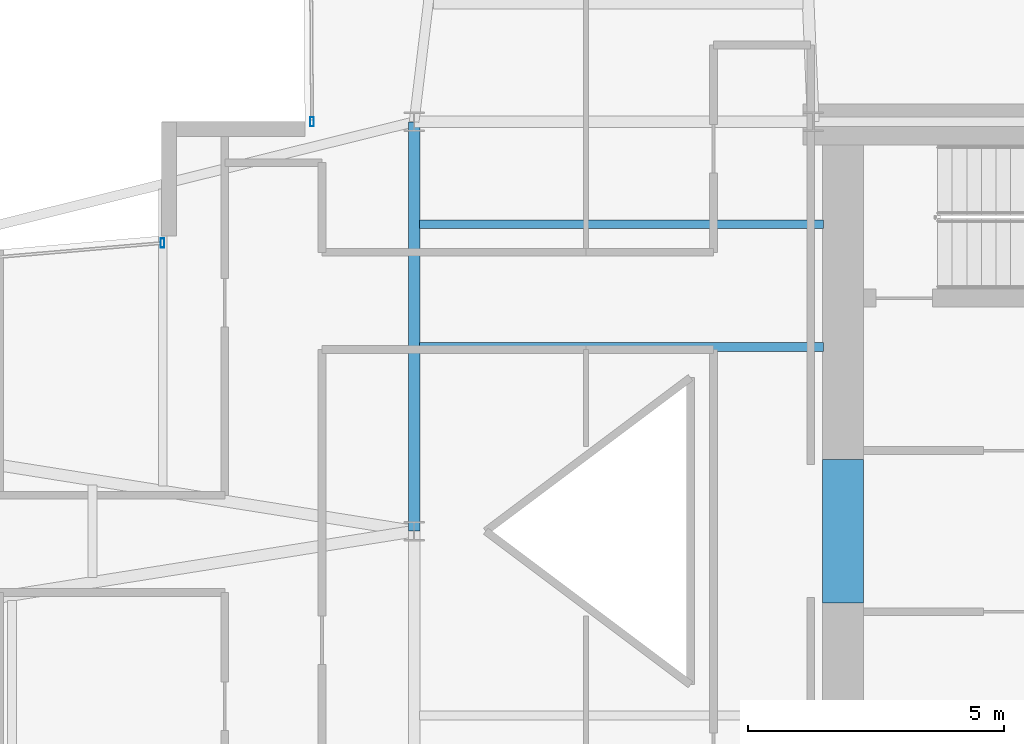
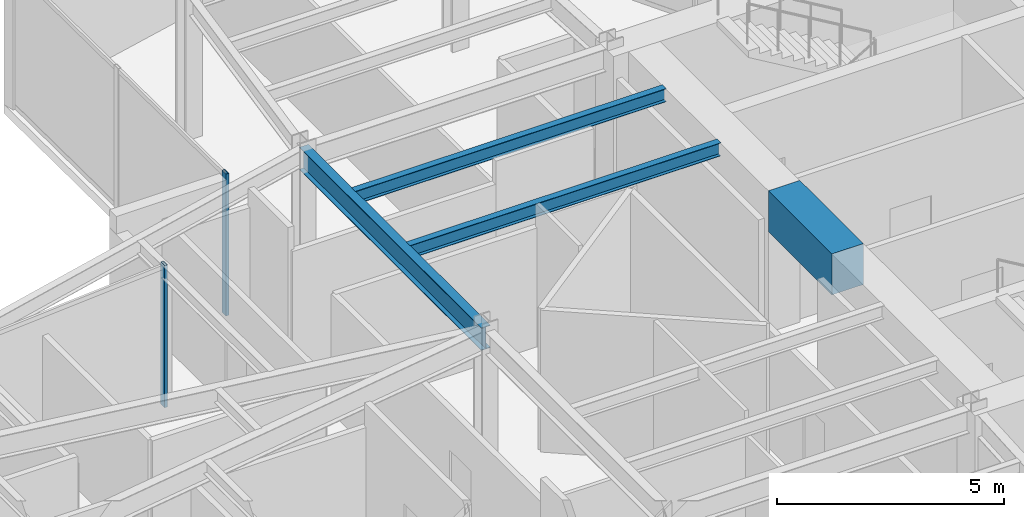
# One storey, part 11 of 26: 4 beams, 2 members, 2 elements without a shape of their own.
"""IFC4 building model written with IfcOpenShell, lengths in metres."""

from ifc_helpers import new_model, si_unit, direction, frame, origin, origin_2d, place, context, subcontext, project, spatial, rectangle, hollow_rectangle, i_section, extrude, material, layer, layer_set, material_profile, profile_set, type_object, element, aggregate, save


model = new_model("IFC4")

# Units and contexts
model_context = context("Model", 3, precision=1e-05, world=origin(), true_north=direction((0.0, 1.0)))
body_context = subcontext(model_context, "Body", "Model", "MODEL_VIEW")
ifc_project = project(units=[si_unit("LENGTHUNIT", "METRE"), si_unit("AREAUNIT", "SQUARE_METRE"), si_unit("VOLUMEUNIT", "CUBIC_METRE"), si_unit("PLANEANGLEUNIT", "RADIAN"), si_unit("MASSUNIT", "GRAM", prefix="KILO")], contexts=[model_context])

# Site, building, storey
site_placement = place(None, origin())
site = spatial("IfcSite", under=ifc_project, at=site_placement, CompositionType="ELEMENT")
building_placement = place(site_placement, origin())
building = spatial("IfcBuilding", under=site, at=building_placement, Name="Veymaron Broadcast Tower", CompositionType="ELEMENT")
storey_placement = place(building_placement, frame((0.0, 0.0, 153.300048828125)))
storey = spatial("IfcBuildingStorey", under=building, at=storey_placement, Name="L35", CompositionType="ELEMENT", Elevation=153.300048828125)

# Beams
ifc_material_1 = material(Name="Concrete C70/85", Category="concrete")
ifc_material_profile_1 = material_profile(ifc_material_1, rectangle(XDim=0.800048828125, YDim=1.10009765625, at=origin_2d()), Name="RC800X1100")
ifc_profile_set_1 = profile_set([ifc_material_profile_1], Name="Concrete C70/85")
beam_type_1 = type_object("IfcBeamType", Name="BM-CB1", PredefinedType="LINTEL", material=ifc_profile_set_1)
beam_1_placement = place(storey_placement, frame((39.580078125, 22.60009765625, 3.260009765625), z_axis=(0.0, 1.0, 0.0), x_axis=(-1.0, 0.0, 0.0)))
element("IfcBeam", 1, at=beam_1_placement, inside=storey, type_object=beam_type_1, Name="L35 Core Wall west coupling beam", PredefinedType="LINTEL", context=body_context, shape_type="SweptSolid", body=[
    extrude(rectangle(XDim=0.800048828125, YDim=1.10009765625, at=origin_2d()), origin(), (0.0, 0.0, 1.0), 2.7998046875),
])
ifc_material_2 = material(Name="Structural steel ASTM A992 Gr 50", Category="steel")
ifc_material_profile_2 = material_profile(ifc_material_2, i_section(OverallWidth=0.22802734375, OverallDepth=0.60791015625, WebThickness=0.01123046875, FlangeThickness=0.017333984375, at=origin_2d()), Name="W610X113")
ifc_profile_set_2 = profile_set([ifc_material_profile_2], Name="Structural steel ASTM A992 Gr 50")
beam_type_2 = type_object("IfcBeamType", Name="BM-FG2", PredefinedType="BEAM", material=ifc_profile_set_2)
beam_2_placement = place(storey_placement, frame((31.199951171875, 24.0, 3.505859375), z_axis=(0.0, 1.0, 0.0), x_axis=(-1.0, 0.0, 0.0)))
element("IfcBeam", 2, at=beam_2_placement, inside=storey, type_object=beam_type_2, Name="L35 primary structural floor girder", PredefinedType="BEAM", context=body_context, shape_type="SweptSolid", body=[
    extrude(i_section(OverallWidth=0.22802734375, OverallDepth=0.60791015625, WebThickness=0.01123046875, FlangeThickness=0.017333984375, at=origin_2d()), origin(), (0.0, 0.0, 1.0), 8.0),
])
ifc_material_profile_3 = material_profile(ifc_material_2, i_section(OverallWidth=0.1708984375, OverallDepth=0.35498046875, WebThickness=0.007080078125, FlangeThickness=0.01171875, at=origin_2d()), Name="W360X51")
ifc_profile_set_3 = profile_set([ifc_material_profile_3], Name="Structural steel ASTM A992 Gr 50")
beam_type_3 = type_object("IfcBeamType", Name="BM-JS2", PredefinedType="JOIST", material=ifc_profile_set_3)
for number, where, z_axis, x_axis, name in (
    (3, (31.300048828125, 27.60009765625, 3.632568359375), (1.0, 0.0, 0.0), (0.0, 1.0, 0.0), "L35 Hub secondary joist 3"),
    (4, (31.300048828125, 30.0, 3.632568359375), (1.0, 0.0, 0.0), (0.0, 1.0, 0.0), "L35 Hub secondary joist 4"),
):
    element("IfcBeam", number, at=place(storey_placement, frame(where, z_axis=z_axis, x_axis=x_axis)), inside=storey, type_object=beam_type_3, Name=name, PredefinedType="JOIST", context=body_context, shape_type="SweptSolid", body=[
        extrude(i_section(OverallWidth=0.1708984375, OverallDepth=0.35498046875, WebThickness=0.007080078125, FlangeThickness=0.01171875, at=origin_2d()), origin(), (0.0, 0.0, 1.0), 7.89990234375),
    ])

# Curtain wall, member
ifc_material_3 = material(Name="Anodised aluminium AA 6063-T6 and laminated low-E dark glass", Category="aluminium")
ifc_layer = layer(ifc_material_3, 0.179931640625)
ifc_layer_set = layer_set([ifc_layer], Name="Anodised aluminium AA 6063-T6 and laminated low-E dark glass")
curtain_wall_type = type_object("IfcCurtainWallType", Name="CW-SYS-03", PredefinedType="NOTDEFINED", material=ifc_layer_set)
curtain_wall_1_placement = place(storey_placement, origin())
curtain_wall_1 = element("IfcCurtainWall", 5, at=curtain_wall_1_placement, inside=storey, type_object=curtain_wall_type, Name="L35 dark-glass curtain wall CW-L35-E8-1", PredefinedType="NOTDEFINED")
ifc_material_4 = material(Name="Anodised aluminium AA 6063-T6", Category="aluminium")
ifc_material_profile_4 = material_profile(ifc_material_4, hollow_rectangle(XDim=0.074951171875, YDim=0.179931640625, WallThickness=0.0048828125, at=origin_2d()), Name="AL180X75X5")
ifc_profile_set_4 = profile_set([ifc_material_profile_4], Name="Anodised aluminium AA 6063-T6")
member_type = type_object("IfcMemberType", Name="CW-MUL-02", PredefinedType="MULLION", material=ifc_profile_set_4)
member_1_placement = place(storey_placement, frame((29.204833984375, 32.0009765625, 0.0), z_axis=(0.0, 0.0, 1.0), x_axis=(1.0, 0.0, 0.0)))
member_1 = element("IfcMember", 6, at=member_1_placement, type_object=member_type, Name="CW-L35-E8-1 mullion 2", PredefinedType="MULLION", context=body_context, shape_type="SweptSolid", body=[
    extrude(hollow_rectangle(XDim=0.074951171875, YDim=0.179931640625, WallThickness=0.0048828125, at=origin_2d()), origin(), (0.0, 0.0, 1.0), 3.81005859375),
])
aggregate(curtain_wall_1, [member_1])

curtain_wall_2_placement = place(storey_placement, origin())
curtain_wall_2 = element("IfcCurtainWall", 7, at=curtain_wall_2_placement, inside=storey, type_object=curtain_wall_type, Name="L35 dark-glass curtain wall CW-L35-E11-1", PredefinedType="NOTDEFINED")
member_2_placement = place(storey_placement, frame((26.282470703125, 29.631103515625, 0.0), z_axis=(0.0, 0.0, 1.0), x_axis=(1.0, 0.0, 0.0)))
member_2 = element("IfcMember", 8, at=member_2_placement, type_object=member_type, Name="CW-L35-E11-1 mullion 0", PredefinedType="MULLION", context=body_context, shape_type="SweptSolid", body=[
    extrude(hollow_rectangle(XDim=0.074951171875, YDim=0.179931640625, WallThickness=0.0048828125, at=origin_2d()), origin(), (0.0, 0.0, 1.0), 3.81005859375),
])
aggregate(curtain_wall_2, [member_2])

save(model, "model.ifc")
